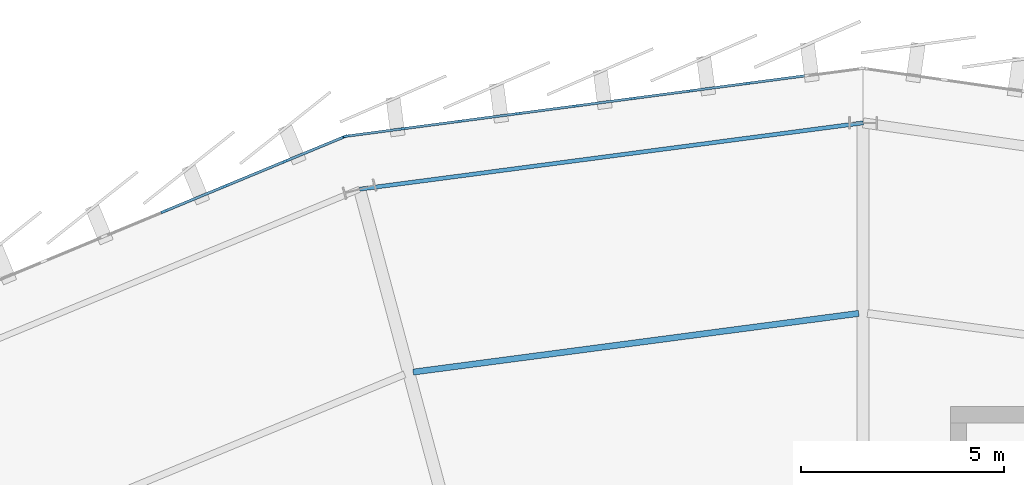
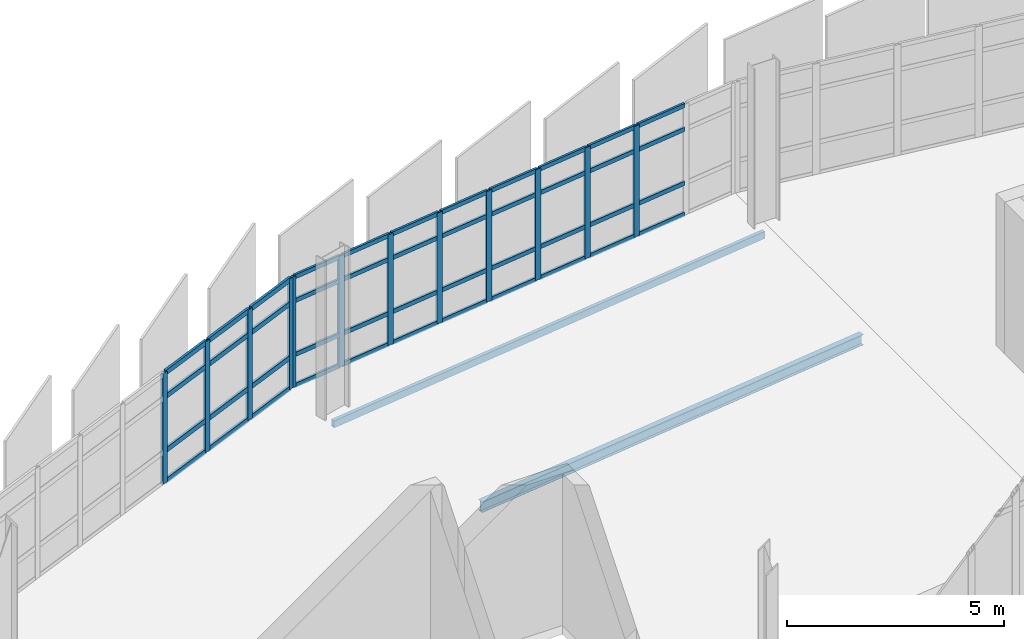
# One storey, part 36 of 67: 56 members, 2 beams, 2 elements without a shape of their own.
"""IFC4 building model written with IfcOpenShell, lengths in metres."""

from ifc_helpers import new_model, si_unit, direction, frame, origin, origin_2d, place, context, subcontext, project, spatial, rectangle, hollow_rectangle, i_section, extrude, material, layer, layer_set, material_profile, profile_set, type_object, element, aggregate, save


model = new_model("IFC4")

# Units and contexts
model_context = context("Model", 3, precision=1e-05, world=origin(), true_north=direction((0.0, 1.0)))
body_context = subcontext(model_context, "Body", "Model", "MODEL_VIEW")
ifc_project = project(units=[si_unit("LENGTHUNIT", "METRE"), si_unit("AREAUNIT", "SQUARE_METRE"), si_unit("VOLUMEUNIT", "CUBIC_METRE"), si_unit("PLANEANGLEUNIT", "RADIAN"), si_unit("MASSUNIT", "GRAM", prefix="KILO")], contexts=[model_context])

# Site, building, storey
site_placement = place(None, origin())
site = spatial("IfcSite", under=ifc_project, at=site_placement, CompositionType="ELEMENT")
building_placement = place(site_placement, origin())
building = spatial("IfcBuilding", under=site, at=building_placement, Name="Sohan Crest Arena", CompositionType="ELEMENT")
storey_placement = place(building_placement, frame((0.0, 0.0, 22.5)))
storey = spatial("IfcBuildingStorey", under=building, at=storey_placement, Name="L05", CompositionType="ELEMENT", Elevation=22.5)

# Curtain wall, members
ifc_material_1 = material(Name="Thermally broken anodised aluminium", Category="aluminium")
ifc_layer_1 = layer(ifc_material_1, 0.179931640625, Name="Thermally broken anodised aluminium")
ifc_layer_set_1 = layer_set([ifc_layer_1], Name="Thermally broken anodised aluminium")
curtain_wall_type_1 = type_object("IfcCurtainWallType", Name="ARC-CW01", PredefinedType="NOTDEFINED", material=ifc_layer_set_1)
curtain_wall_1_placement = place(storey_placement, origin())
curtain_wall_1 = element("IfcCurtainWall", 1, at=curtain_wall_1_placement, inside=storey, type_object=curtain_wall_type_1, Name="Unitised curtain wall CW-146", PredefinedType="NOTDEFINED")
ifc_material_profile_1 = material_profile(ifc_material_1, rectangle(XDim=0.06005859375, YDim=0.159912109375, at=origin_2d()), Name="ALU-MULL 60x160")
ifc_profile_set_1 = profile_set([ifc_material_profile_1], Name="Thermally broken anodised aluminium")
member_type_1 = type_object("IfcMemberType", Name="ARC-CW-ML01", PredefinedType="MULLION", material=ifc_profile_set_1)
member_1_placement = place(storey_placement, frame((95.16162109375, 126.976318359375, 0.0), z_axis=(0.0, 0.0, 1.0), x_axis=(0.130556913275, -0.991440816386, 0.0)))
member_1 = element("IfcMember", 2, at=member_1_placement, type_object=member_type_1, Name="CW-146 mullion 3", PredefinedType="MULLION", context=body_context, shape_type="SweptSolid", body=[
    extrude(rectangle(XDim=0.06005859375, YDim=0.159912109375, at=origin_2d()), origin(), (0.0, 0.0, 1.0), 3.1201171875),
])
member_2_placement = place(storey_placement, frame((93.742431640625, 126.789306640625, 0.0), z_axis=(0.0, 0.0, 1.0), x_axis=(0.130556913275, -0.991440816386, 0.0)))
member_2 = element("IfcMember", 3, at=member_2_placement, type_object=member_type_1, Name="CW-146 mullion 4", PredefinedType="MULLION", context=body_context, shape_type="SweptSolid", body=[
    extrude(rectangle(XDim=0.06005859375, YDim=0.159912109375, at=origin_2d()), origin(), (0.0, 0.0, 1.0), 3.1201171875),
])
member_3_placement = place(storey_placement, frame((92.322998046875, 126.6025390625, 0.0), z_axis=(0.0, 0.0, 1.0), x_axis=(0.130556913275, -0.991440816386, 0.0)))
member_3 = element("IfcMember", 4, at=member_3_placement, type_object=member_type_1, Name="CW-146 mullion 5", PredefinedType="MULLION", context=body_context, shape_type="SweptSolid", body=[
    extrude(rectangle(XDim=0.06005859375, YDim=0.159912109375, at=origin_2d()), origin(), (0.0, 0.0, 1.0), 3.1201171875),
])
member_4_placement = place(storey_placement, frame((90.90380859375, 126.41552734375, 0.0), z_axis=(0.0, 0.0, 1.0), x_axis=(0.130556913275, -0.991440816386, 0.0)))
member_4 = element("IfcMember", 5, at=member_4_placement, type_object=member_type_1, Name="CW-146 mullion 6", PredefinedType="MULLION", context=body_context, shape_type="SweptSolid", body=[
    extrude(rectangle(XDim=0.06005859375, YDim=0.159912109375, at=origin_2d()), origin(), (0.0, 0.0, 1.0), 3.1201171875),
])
member_5_placement = place(storey_placement, frame((89.484619140625, 126.228759765625, 0.0), z_axis=(0.0, 0.0, 1.0), x_axis=(0.130556913275, -0.991440816386, 0.0)))
member_5 = element("IfcMember", 6, at=member_5_placement, type_object=member_type_1, Name="CW-146 mullion 7", PredefinedType="MULLION", context=body_context, shape_type="SweptSolid", body=[
    extrude(rectangle(XDim=0.06005859375, YDim=0.159912109375, at=origin_2d()), origin(), (0.0, 0.0, 1.0), 3.1201171875),
])
member_6_placement = place(storey_placement, frame((88.0654296875, 126.041748046875, 0.0), z_axis=(0.0, 0.0, 1.0), x_axis=(0.130556913275, -0.991440816386, 0.0)))
member_6 = element("IfcMember", 7, at=member_6_placement, type_object=member_type_1, Name="CW-146 mullion 8", PredefinedType="MULLION", context=body_context, shape_type="SweptSolid", body=[
    extrude(rectangle(XDim=0.06005859375, YDim=0.159912109375, at=origin_2d()), origin(), (0.0, 0.0, 1.0), 3.1201171875),
])
member_7_placement = place(storey_placement, frame((86.646240234375, 125.85498046875, 0.0), z_axis=(0.0, 0.0, 1.0), x_axis=(0.130556913275, -0.991440816386, 0.0)))
member_7 = element("IfcMember", 8, at=member_7_placement, type_object=member_type_1, Name="CW-146 mullion 9", PredefinedType="MULLION", context=body_context, shape_type="SweptSolid", body=[
    extrude(rectangle(XDim=0.06005859375, YDim=0.159912109375, at=origin_2d()), origin(), (0.0, 0.0, 1.0), 3.1201171875),
])
member_8_placement = place(storey_placement, frame((85.2568359375, 125.671875, 0.0), z_axis=(0.0, 0.0, 1.0), x_axis=(0.130556913275, -0.991440816386, 0.0)))
member_8 = element("IfcMember", 9, at=member_8_placement, type_object=member_type_1, Name="CW-146 mullion 10", PredefinedType="MULLION", context=body_context, shape_type="SweptSolid", body=[
    extrude(rectangle(XDim=0.06005859375, YDim=0.159912109375, at=origin_2d()), origin(), (0.0, 0.0, 1.0), 3.1201171875),
])

ifc_layer_2 = layer(ifc_material_1, 0.199951171875, Name="Thermally broken anodised aluminium")
ifc_layer_set_2 = layer_set([ifc_layer_2], Name="Thermally broken anodised aluminium")
curtain_wall_type_2 = type_object("IfcCurtainWallType", Name="ARC-CW02", PredefinedType="NOTDEFINED", material=ifc_layer_set_2)
curtain_wall_2_placement = place(storey_placement, origin())
curtain_wall_2 = element("IfcCurtainWall", 10, at=curtain_wall_2_placement, inside=storey, type_object=curtain_wall_type_2, Name="Unitised curtain wall CW-147", PredefinedType="NOTDEFINED")
ifc_material_profile_2 = material_profile(ifc_material_1, rectangle(XDim=0.06494140625, YDim=0.179931640625, at=origin_2d()), Name="ALU-MULL 65x180")
ifc_profile_set_2 = profile_set([ifc_material_profile_2], Name="Thermally broken anodised aluminium")
member_type_2 = type_object("IfcMemberType", Name="ARC-CW-ML02", PredefinedType="MULLION", material=ifc_profile_set_2)
member_9_placement = place(storey_placement, frame((85.197021484375, 125.655517578125, 0.0), z_axis=(0.0, 0.0, 1.0), x_axis=(0.382685432009, -0.923878704229, 0.0)))
member_9 = element("IfcMember", 11, at=member_9_placement, type_object=member_type_2, Name="CW-147 mullion 1", PredefinedType="MULLION", context=body_context, shape_type="SweptSolid", body=[
    extrude(rectangle(XDim=0.06494140625, YDim=0.179931640625, at=origin_2d()), origin(), (0.0, 0.0, 1.0), 3.1201171875),
])
member_10_placement = place(storey_placement, frame((83.7392578125, 125.0517578125, 0.0), z_axis=(0.0, 0.0, 1.0), x_axis=(0.382685432009, -0.923878704229, 0.0)))
member_10 = element("IfcMember", 12, at=member_10_placement, type_object=member_type_2, Name="CW-147 mullion 2", PredefinedType="MULLION", context=body_context, shape_type="SweptSolid", body=[
    extrude(rectangle(XDim=0.06494140625, YDim=0.179931640625, at=origin_2d()), origin(), (0.0, 0.0, 1.0), 3.1201171875),
])
member_11_placement = place(storey_placement, frame((82.25146484375, 124.435546875, 0.0), z_axis=(0.0, 0.0, 1.0), x_axis=(0.382685432009, -0.923878704229, 0.0)))
member_11 = element("IfcMember", 13, at=member_11_placement, type_object=member_type_2, Name="CW-147 mullion 3", PredefinedType="MULLION", context=body_context, shape_type="SweptSolid", body=[
    extrude(rectangle(XDim=0.06494140625, YDim=0.179931640625, at=origin_2d()), origin(), (0.0, 0.0, 1.0), 3.1201171875),
])
member_12_placement = place(storey_placement, frame((80.763671875, 123.8193359375, 0.0), z_axis=(0.0, 0.0, 1.0), x_axis=(0.382685432009, -0.923878704229, 0.0)))
member_12 = element("IfcMember", 14, at=member_12_placement, type_object=member_type_2, Name="CW-147 mullion 4", PredefinedType="MULLION", context=body_context, shape_type="SweptSolid", body=[
    extrude(rectangle(XDim=0.06494140625, YDim=0.179931640625, at=origin_2d()), origin(), (0.0, 0.0, 1.0), 3.1201171875),
])

# Member
ifc_material_profile_3 = material_profile(ifc_material_1, rectangle(XDim=0.06005859375, YDim=0.1201171875, at=origin_2d()), Name="ALU-TRAN 60x120")
ifc_profile_set_3 = profile_set([ifc_material_profile_3], Name="Thermally broken anodised aluminium")
member_type_3 = type_object("IfcMemberType", Name="ARC-CW-TR01", PredefinedType="USERDEFINED", material=ifc_profile_set_3)
member_13_placement = place(storey_placement, frame((96.551025390625, 127.1591796875, 0.030029296875), z_axis=(-0.99144884107, -0.130495959868, 0.0), x_axis=(0.130495959868, -0.99144884107, 0.0)))
member_13 = element("IfcMember", 15, at=member_13_placement, type_object=member_type_3, Name="CW-146 transom 2.1", ObjectType="TRANSOM", PredefinedType="USERDEFINED", context=body_context, shape_type="SweptSolid", body=[
    extrude(rectangle(XDim=0.06005859375, YDim=0.1201171875, at=origin_2d()), origin(), (0.0, 0.0, 1.0), 1.371337890625),
])

member_14_placement = place(storey_placement, frame((96.551025390625, 127.1591796875, 0.89990234375), z_axis=(-0.99144884107, -0.130495959868, 0.0), x_axis=(0.130495959868, -0.99144884107, 0.0)))
member_14 = element("IfcMember", 16, at=member_14_placement, type_object=member_type_3, Name="CW-146 transom 2.2", ObjectType="TRANSOM", PredefinedType="USERDEFINED", context=body_context, shape_type="SweptSolid", body=[
    extrude(rectangle(XDim=0.06005859375, YDim=0.1201171875, at=origin_2d()), origin(), (0.0, 0.0, 1.0), 1.371337890625),
])

member_15_placement = place(storey_placement, frame((96.551025390625, 127.1591796875, 2.419921875), z_axis=(-0.99144884107, -0.130495959868, 0.0), x_axis=(0.130495959868, -0.99144884107, 0.0)))
member_15 = element("IfcMember", 17, at=member_15_placement, type_object=member_type_3, Name="CW-146 transom 2.3", ObjectType="TRANSOM", PredefinedType="USERDEFINED", context=body_context, shape_type="SweptSolid", body=[
    extrude(rectangle(XDim=0.06005859375, YDim=0.1201171875, at=origin_2d()), origin(), (0.0, 0.0, 1.0), 1.371337890625),
])

member_16_placement = place(storey_placement, frame((96.551025390625, 127.1591796875, 3.090087890625), z_axis=(-0.99144884107, -0.130495959868, 0.0), x_axis=(0.130495959868, -0.99144884107, 0.0)))
member_16 = element("IfcMember", 18, at=member_16_placement, type_object=member_type_3, Name="CW-146 transom 2.4", ObjectType="TRANSOM", PredefinedType="USERDEFINED", context=body_context, shape_type="SweptSolid", body=[
    extrude(rectangle(XDim=0.06005859375, YDim=0.1201171875, at=origin_2d()), origin(), (0.0, 0.0, 1.0), 1.371337890625),
])

member_17_placement = place(storey_placement, frame((95.1318359375, 126.972412109375, 0.030029296875), z_axis=(-0.991428831601, -0.13064789271, 0.0), x_axis=(0.13064789271, -0.991428831601, 0.0)))
member_17 = element("IfcMember", 19, at=member_17_placement, type_object=member_type_3, Name="CW-146 transom 3.1", ObjectType="TRANSOM", PredefinedType="USERDEFINED", context=body_context, shape_type="SweptSolid", body=[
    extrude(rectangle(XDim=0.06005859375, YDim=0.1201171875, at=origin_2d()), origin(), (0.0, 0.0, 1.0), 1.37158203125),
])

member_18_placement = place(storey_placement, frame((95.1318359375, 126.972412109375, 0.89990234375), z_axis=(-0.991428831601, -0.13064789271, 0.0), x_axis=(0.13064789271, -0.991428831601, 0.0)))
member_18 = element("IfcMember", 20, at=member_18_placement, type_object=member_type_3, Name="CW-146 transom 3.2", ObjectType="TRANSOM", PredefinedType="USERDEFINED", context=body_context, shape_type="SweptSolid", body=[
    extrude(rectangle(XDim=0.06005859375, YDim=0.1201171875, at=origin_2d()), origin(), (0.0, 0.0, 1.0), 1.37158203125),
])

member_19_placement = place(storey_placement, frame((95.1318359375, 126.972412109375, 2.419921875), z_axis=(-0.991428831601, -0.13064789271, 0.0), x_axis=(0.13064789271, -0.991428831601, 0.0)))
member_19 = element("IfcMember", 21, at=member_19_placement, type_object=member_type_3, Name="CW-146 transom 3.3", ObjectType="TRANSOM", PredefinedType="USERDEFINED", context=body_context, shape_type="SweptSolid", body=[
    extrude(rectangle(XDim=0.06005859375, YDim=0.1201171875, at=origin_2d()), origin(), (0.0, 0.0, 1.0), 1.37158203125),
])

member_20_placement = place(storey_placement, frame((95.1318359375, 126.972412109375, 3.090087890625), z_axis=(-0.991428831601, -0.13064789271, 0.0), x_axis=(0.13064789271, -0.991428831601, 0.0)))
member_20 = element("IfcMember", 22, at=member_20_placement, type_object=member_type_3, Name="CW-146 transom 3.4", ObjectType="TRANSOM", PredefinedType="USERDEFINED", context=body_context, shape_type="SweptSolid", body=[
    extrude(rectangle(XDim=0.06005859375, YDim=0.1201171875, at=origin_2d()), origin(), (0.0, 0.0, 1.0), 1.37158203125),
])

member_21_placement = place(storey_placement, frame((93.712646484375, 126.785400390625, 0.030029296875), z_axis=(-0.991451871974, -0.130472930369, 0.0), x_axis=(0.130472930369, -0.991451871974, 0.0)))
member_21 = element("IfcMember", 23, at=member_21_placement, type_object=member_type_3, Name="CW-146 transom 4.1", ObjectType="TRANSOM", PredefinedType="USERDEFINED", context=body_context, shape_type="SweptSolid", body=[
    extrude(rectangle(XDim=0.06005859375, YDim=0.1201171875, at=origin_2d()), origin(), (0.0, 0.0, 1.0), 1.37158203125),
])

member_22_placement = place(storey_placement, frame((93.712646484375, 126.785400390625, 0.89990234375), z_axis=(-0.991451871974, -0.130472930369, 0.0), x_axis=(0.130472930369, -0.991451871974, 0.0)))
member_22 = element("IfcMember", 24, at=member_22_placement, type_object=member_type_3, Name="CW-146 transom 4.2", ObjectType="TRANSOM", PredefinedType="USERDEFINED", context=body_context, shape_type="SweptSolid", body=[
    extrude(rectangle(XDim=0.06005859375, YDim=0.1201171875, at=origin_2d()), origin(), (0.0, 0.0, 1.0), 1.37158203125),
])

member_23_placement = place(storey_placement, frame((93.712646484375, 126.785400390625, 2.419921875), z_axis=(-0.991451871974, -0.130472930369, 0.0), x_axis=(0.130472930369, -0.991451871974, 0.0)))
member_23 = element("IfcMember", 25, at=member_23_placement, type_object=member_type_3, Name="CW-146 transom 4.3", ObjectType="TRANSOM", PredefinedType="USERDEFINED", context=body_context, shape_type="SweptSolid", body=[
    extrude(rectangle(XDim=0.06005859375, YDim=0.1201171875, at=origin_2d()), origin(), (0.0, 0.0, 1.0), 1.37158203125),
])

member_24_placement = place(storey_placement, frame((93.712646484375, 126.785400390625, 3.090087890625), z_axis=(-0.991451871974, -0.130472930369, 0.0), x_axis=(0.130472930369, -0.991451871974, 0.0)))
member_24 = element("IfcMember", 26, at=member_24_placement, type_object=member_type_3, Name="CW-146 transom 4.4", ObjectType="TRANSOM", PredefinedType="USERDEFINED", context=body_context, shape_type="SweptSolid", body=[
    extrude(rectangle(XDim=0.06005859375, YDim=0.1201171875, at=origin_2d()), origin(), (0.0, 0.0, 1.0), 1.37158203125),
])

member_25_placement = place(storey_placement, frame((92.29345703125, 126.5986328125, 0.030029296875), z_axis=(-0.991428831601, -0.13064789271, 0.0), x_axis=(0.13064789271, -0.991428831601, 0.0)))
member_25 = element("IfcMember", 27, at=member_25_placement, type_object=member_type_3, Name="CW-146 transom 5.1", ObjectType="TRANSOM", PredefinedType="USERDEFINED", context=body_context, shape_type="SweptSolid", body=[
    extrude(rectangle(XDim=0.06005859375, YDim=0.1201171875, at=origin_2d()), origin(), (0.0, 0.0, 1.0), 1.37158203125),
])

member_26_placement = place(storey_placement, frame((92.29345703125, 126.5986328125, 0.89990234375), z_axis=(-0.991428831601, -0.13064789271, 0.0), x_axis=(0.13064789271, -0.991428831601, 0.0)))
member_26 = element("IfcMember", 28, at=member_26_placement, type_object=member_type_3, Name="CW-146 transom 5.2", ObjectType="TRANSOM", PredefinedType="USERDEFINED", context=body_context, shape_type="SweptSolid", body=[
    extrude(rectangle(XDim=0.06005859375, YDim=0.1201171875, at=origin_2d()), origin(), (0.0, 0.0, 1.0), 1.37158203125),
])

member_27_placement = place(storey_placement, frame((92.29345703125, 126.5986328125, 2.419921875), z_axis=(-0.991428831601, -0.13064789271, 0.0), x_axis=(0.13064789271, -0.991428831601, 0.0)))
member_27 = element("IfcMember", 29, at=member_27_placement, type_object=member_type_3, Name="CW-146 transom 5.3", ObjectType="TRANSOM", PredefinedType="USERDEFINED", context=body_context, shape_type="SweptSolid", body=[
    extrude(rectangle(XDim=0.06005859375, YDim=0.1201171875, at=origin_2d()), origin(), (0.0, 0.0, 1.0), 1.37158203125),
])

member_28_placement = place(storey_placement, frame((92.29345703125, 126.5986328125, 3.090087890625), z_axis=(-0.991428831601, -0.13064789271, 0.0), x_axis=(0.13064789271, -0.991428831601, 0.0)))
member_28 = element("IfcMember", 30, at=member_28_placement, type_object=member_type_3, Name="CW-146 transom 5.4", ObjectType="TRANSOM", PredefinedType="USERDEFINED", context=body_context, shape_type="SweptSolid", body=[
    extrude(rectangle(XDim=0.06005859375, YDim=0.1201171875, at=origin_2d()), origin(), (0.0, 0.0, 1.0), 1.37158203125),
])

member_29_placement = place(storey_placement, frame((90.874267578125, 126.41162109375, 0.030029296875), z_axis=(-0.991451871974, -0.130472930369, 0.0), x_axis=(0.130472930369, -0.991451871974, 0.0)))
member_29 = element("IfcMember", 31, at=member_29_placement, type_object=member_type_3, Name="CW-146 transom 6.1", ObjectType="TRANSOM", PredefinedType="USERDEFINED", context=body_context, shape_type="SweptSolid", body=[
    extrude(rectangle(XDim=0.06005859375, YDim=0.1201171875, at=origin_2d()), origin(), (0.0, 0.0, 1.0), 1.37158203125),
])

member_30_placement = place(storey_placement, frame((90.874267578125, 126.41162109375, 0.89990234375), z_axis=(-0.991451871974, -0.130472930369, 0.0), x_axis=(0.130472930369, -0.991451871974, 0.0)))
member_30 = element("IfcMember", 32, at=member_30_placement, type_object=member_type_3, Name="CW-146 transom 6.2", ObjectType="TRANSOM", PredefinedType="USERDEFINED", context=body_context, shape_type="SweptSolid", body=[
    extrude(rectangle(XDim=0.06005859375, YDim=0.1201171875, at=origin_2d()), origin(), (0.0, 0.0, 1.0), 1.37158203125),
])

member_31_placement = place(storey_placement, frame((90.874267578125, 126.41162109375, 2.419921875), z_axis=(-0.991451871974, -0.130472930369, 0.0), x_axis=(0.130472930369, -0.991451871974, 0.0)))
member_31 = element("IfcMember", 33, at=member_31_placement, type_object=member_type_3, Name="CW-146 transom 6.3", ObjectType="TRANSOM", PredefinedType="USERDEFINED", context=body_context, shape_type="SweptSolid", body=[
    extrude(rectangle(XDim=0.06005859375, YDim=0.1201171875, at=origin_2d()), origin(), (0.0, 0.0, 1.0), 1.37158203125),
])

member_32_placement = place(storey_placement, frame((90.874267578125, 126.41162109375, 3.090087890625), z_axis=(-0.991451871974, -0.130472930369, 0.0), x_axis=(0.130472930369, -0.991451871974, 0.0)))
member_32 = element("IfcMember", 34, at=member_32_placement, type_object=member_type_3, Name="CW-146 transom 6.4", ObjectType="TRANSOM", PredefinedType="USERDEFINED", context=body_context, shape_type="SweptSolid", body=[
    extrude(rectangle(XDim=0.06005859375, YDim=0.1201171875, at=origin_2d()), origin(), (0.0, 0.0, 1.0), 1.37158203125),
])

member_33_placement = place(storey_placement, frame((89.454833984375, 126.224853515625, 0.030029296875), z_axis=(-0.991425792633, -0.130670952019, 0.0), x_axis=(0.130670952019, -0.991425792633, 0.0)))
member_33 = element("IfcMember", 35, at=member_33_placement, type_object=member_type_3, Name="CW-146 transom 7.1", ObjectType="TRANSOM", PredefinedType="USERDEFINED", context=body_context, shape_type="SweptSolid", body=[
    extrude(rectangle(XDim=0.06005859375, YDim=0.1201171875, at=origin_2d()), origin(), (0.0, 0.0, 1.0), 1.371337890625),
])

member_34_placement = place(storey_placement, frame((89.454833984375, 126.224853515625, 0.89990234375), z_axis=(-0.991425792633, -0.130670952019, 0.0), x_axis=(0.130670952019, -0.991425792633, 0.0)))
member_34 = element("IfcMember", 36, at=member_34_placement, type_object=member_type_3, Name="CW-146 transom 7.2", ObjectType="TRANSOM", PredefinedType="USERDEFINED", context=body_context, shape_type="SweptSolid", body=[
    extrude(rectangle(XDim=0.06005859375, YDim=0.1201171875, at=origin_2d()), origin(), (0.0, 0.0, 1.0), 1.371337890625),
])

member_35_placement = place(storey_placement, frame((89.454833984375, 126.224853515625, 2.419921875), z_axis=(-0.991425792633, -0.130670952019, 0.0), x_axis=(0.130670952019, -0.991425792633, 0.0)))
member_35 = element("IfcMember", 37, at=member_35_placement, type_object=member_type_3, Name="CW-146 transom 7.3", ObjectType="TRANSOM", PredefinedType="USERDEFINED", context=body_context, shape_type="SweptSolid", body=[
    extrude(rectangle(XDim=0.06005859375, YDim=0.1201171875, at=origin_2d()), origin(), (0.0, 0.0, 1.0), 1.371337890625),
])

member_36_placement = place(storey_placement, frame((89.454833984375, 126.224853515625, 3.090087890625), z_axis=(-0.991425792633, -0.130670952019, 0.0), x_axis=(0.130670952019, -0.991425792633, 0.0)))
member_36 = element("IfcMember", 38, at=member_36_placement, type_object=member_type_3, Name="CW-146 transom 7.4", ObjectType="TRANSOM", PredefinedType="USERDEFINED", context=body_context, shape_type="SweptSolid", body=[
    extrude(rectangle(XDim=0.06005859375, YDim=0.1201171875, at=origin_2d()), origin(), (0.0, 0.0, 1.0), 1.371337890625),
])

member_37_placement = place(storey_placement, frame((88.03564453125, 126.037841796875, 0.030029296875), z_axis=(-0.99144884107, -0.130495959868, 0.0), x_axis=(0.130495959868, -0.99144884107, 0.0)))
member_37 = element("IfcMember", 39, at=member_37_placement, type_object=member_type_3, Name="CW-146 transom 8.1", ObjectType="TRANSOM", PredefinedType="USERDEFINED", context=body_context, shape_type="SweptSolid", body=[
    extrude(rectangle(XDim=0.06005859375, YDim=0.1201171875, at=origin_2d()), origin(), (0.0, 0.0, 1.0), 1.371337890625),
])

member_38_placement = place(storey_placement, frame((88.03564453125, 126.037841796875, 0.89990234375), z_axis=(-0.99144884107, -0.130495959868, 0.0), x_axis=(0.130495959868, -0.99144884107, 0.0)))
member_38 = element("IfcMember", 40, at=member_38_placement, type_object=member_type_3, Name="CW-146 transom 8.2", ObjectType="TRANSOM", PredefinedType="USERDEFINED", context=body_context, shape_type="SweptSolid", body=[
    extrude(rectangle(XDim=0.06005859375, YDim=0.1201171875, at=origin_2d()), origin(), (0.0, 0.0, 1.0), 1.371337890625),
])

member_39_placement = place(storey_placement, frame((88.03564453125, 126.037841796875, 2.419921875), z_axis=(-0.99144884107, -0.130495959868, 0.0), x_axis=(0.130495959868, -0.99144884107, 0.0)))
member_39 = element("IfcMember", 41, at=member_39_placement, type_object=member_type_3, Name="CW-146 transom 8.3", ObjectType="TRANSOM", PredefinedType="USERDEFINED", context=body_context, shape_type="SweptSolid", body=[
    extrude(rectangle(XDim=0.06005859375, YDim=0.1201171875, at=origin_2d()), origin(), (0.0, 0.0, 1.0), 1.371337890625),
])

member_40_placement = place(storey_placement, frame((88.03564453125, 126.037841796875, 3.090087890625), z_axis=(-0.99144884107, -0.130495959868, 0.0), x_axis=(0.130495959868, -0.99144884107, 0.0)))
member_40 = element("IfcMember", 42, at=member_40_placement, type_object=member_type_3, Name="CW-146 transom 8.4", ObjectType="TRANSOM", PredefinedType="USERDEFINED", context=body_context, shape_type="SweptSolid", body=[
    extrude(rectangle(XDim=0.06005859375, YDim=0.1201171875, at=origin_2d()), origin(), (0.0, 0.0, 1.0), 1.371337890625),
])

member_41_placement = place(storey_placement, frame((86.616455078125, 125.85107421875, 0.030029296875), z_axis=(-0.991427020265, -0.130661637399, 0.0), x_axis=(0.130661637399, -0.991427020265, 0.0)))
member_41 = element("IfcMember", 43, at=member_41_placement, type_object=member_type_3, Name="CW-146 transom 9.1", ObjectType="TRANSOM", PredefinedType="USERDEFINED", context=body_context, shape_type="SweptSolid", body=[
    extrude(rectangle(XDim=0.06005859375, YDim=0.1201171875, at=origin_2d()), origin(), (0.0, 0.0, 1.0), 1.341552734375),
])

member_42_placement = place(storey_placement, frame((86.616455078125, 125.85107421875, 0.89990234375), z_axis=(-0.991427020265, -0.130661637399, 0.0), x_axis=(0.130661637399, -0.991427020265, 0.0)))
member_42 = element("IfcMember", 44, at=member_42_placement, type_object=member_type_3, Name="CW-146 transom 9.2", ObjectType="TRANSOM", PredefinedType="USERDEFINED", context=body_context, shape_type="SweptSolid", body=[
    extrude(rectangle(XDim=0.06005859375, YDim=0.1201171875, at=origin_2d()), origin(), (0.0, 0.0, 1.0), 1.341552734375),
])

member_43_placement = place(storey_placement, frame((86.616455078125, 125.85107421875, 2.419921875), z_axis=(-0.991427020265, -0.130661637399, 0.0), x_axis=(0.130661637399, -0.991427020265, 0.0)))
member_43 = element("IfcMember", 45, at=member_43_placement, type_object=member_type_3, Name="CW-146 transom 9.3", ObjectType="TRANSOM", PredefinedType="USERDEFINED", context=body_context, shape_type="SweptSolid", body=[
    extrude(rectangle(XDim=0.06005859375, YDim=0.1201171875, at=origin_2d()), origin(), (0.0, 0.0, 1.0), 1.341552734375),
])

member_44_placement = place(storey_placement, frame((86.616455078125, 125.85107421875, 3.090087890625), z_axis=(-0.991427020265, -0.130661637399, 0.0), x_axis=(0.130661637399, -0.991427020265, 0.0)))
member_44 = element("IfcMember", 46, at=member_44_placement, type_object=member_type_3, Name="CW-146 transom 9.4", ObjectType="TRANSOM", PredefinedType="USERDEFINED", context=body_context, shape_type="SweptSolid", body=[
    extrude(rectangle(XDim=0.06005859375, YDim=0.1201171875, at=origin_2d()), origin(), (0.0, 0.0, 1.0), 1.341552734375),
])

aggregate(curtain_wall_1, [member_1, member_2, member_3, member_4, member_5, member_6, member_7, member_8, member_13, member_14, member_15, member_16, member_17, member_18, member_19, member_20, member_21, member_22, member_23, member_24, member_25, member_26, member_27, member_28, member_29, member_30, member_31, member_32, member_33, member_34, member_35, member_36, member_37, member_38, member_39, member_40, member_41, member_42, member_43, member_44])

ifc_material_profile_4 = material_profile(ifc_material_1, rectangle(XDim=0.06494140625, YDim=0.139892578125, at=origin_2d()), Name="ALU-TRAN 65x140")
ifc_profile_set_4 = profile_set([ifc_material_profile_4], Name="Thermally broken anodised aluminium")
member_type_4 = type_object("IfcMemberType", Name="ARC-CW-TR02", PredefinedType="USERDEFINED", material=ifc_profile_set_4)
member_45_placement = place(storey_placement, frame((85.1669921875, 125.64306640625, 0.032470703125), z_axis=(-0.923900792868, -0.382632101291, 0.0), x_axis=(0.382632101291, -0.923900792868, 0.0)))
member_45 = element("IfcMember", 47, at=member_45_placement, type_object=member_type_4, Name="CW-147 transom 1.1", ObjectType="TRANSOM", PredefinedType="USERDEFINED", context=body_context, shape_type="SweptSolid", body=[
    extrude(rectangle(XDim=0.06494140625, YDim=0.139892578125, at=origin_2d()), origin(), (0.0, 0.0, 1.0), 1.512939453125),
])

member_46_placement = place(storey_placement, frame((85.1669921875, 125.64306640625, 0.89990234375), z_axis=(-0.923900792868, -0.382632101291, 0.0), x_axis=(0.382632101291, -0.923900792868, 0.0)))
member_46 = element("IfcMember", 48, at=member_46_placement, type_object=member_type_4, Name="CW-147 transom 1.2", ObjectType="TRANSOM", PredefinedType="USERDEFINED", context=body_context, shape_type="SweptSolid", body=[
    extrude(rectangle(XDim=0.06494140625, YDim=0.139892578125, at=origin_2d()), origin(), (0.0, 0.0, 1.0), 1.512939453125),
])

member_47_placement = place(storey_placement, frame((85.1669921875, 125.64306640625, 2.419921875), z_axis=(-0.923900792868, -0.382632101291, 0.0), x_axis=(0.382632101291, -0.923900792868, 0.0)))
member_47 = element("IfcMember", 49, at=member_47_placement, type_object=member_type_4, Name="CW-147 transom 1.3", ObjectType="TRANSOM", PredefinedType="USERDEFINED", context=body_context, shape_type="SweptSolid", body=[
    extrude(rectangle(XDim=0.06494140625, YDim=0.139892578125, at=origin_2d()), origin(), (0.0, 0.0, 1.0), 1.512939453125),
])

member_48_placement = place(storey_placement, frame((85.1669921875, 125.64306640625, 3.08740234375), z_axis=(-0.923900792868, -0.382632101291, 0.0), x_axis=(0.382632101291, -0.923900792868, 0.0)))
member_48 = element("IfcMember", 50, at=member_48_placement, type_object=member_type_4, Name="CW-147 transom 1.4", ObjectType="TRANSOM", PredefinedType="USERDEFINED", context=body_context, shape_type="SweptSolid", body=[
    extrude(rectangle(XDim=0.06494140625, YDim=0.139892578125, at=origin_2d()), origin(), (0.0, 0.0, 1.0), 1.512939453125),
])

member_49_placement = place(storey_placement, frame((83.709228515625, 125.039306640625, 0.032470703125), z_axis=(-0.923897456466, -0.382640157244, 0.0), x_axis=(0.382640157244, -0.923897456466, 0.0)))
member_49 = element("IfcMember", 51, at=member_49_placement, type_object=member_type_4, Name="CW-147 transom 2.1", ObjectType="TRANSOM", PredefinedType="USERDEFINED", context=body_context, shape_type="SweptSolid", body=[
    extrude(rectangle(XDim=0.06494140625, YDim=0.139892578125, at=origin_2d()), origin(), (0.0, 0.0, 1.0), 1.54541015625),
])

member_50_placement = place(storey_placement, frame((83.709228515625, 125.039306640625, 0.89990234375), z_axis=(-0.923897456466, -0.382640157244, 0.0), x_axis=(0.382640157244, -0.923897456466, 0.0)))
member_50 = element("IfcMember", 52, at=member_50_placement, type_object=member_type_4, Name="CW-147 transom 2.2", ObjectType="TRANSOM", PredefinedType="USERDEFINED", context=body_context, shape_type="SweptSolid", body=[
    extrude(rectangle(XDim=0.06494140625, YDim=0.139892578125, at=origin_2d()), origin(), (0.0, 0.0, 1.0), 1.54541015625),
])

member_51_placement = place(storey_placement, frame((83.709228515625, 125.039306640625, 2.419921875), z_axis=(-0.923897456466, -0.382640157244, 0.0), x_axis=(0.382640157244, -0.923897456466, 0.0)))
member_51 = element("IfcMember", 53, at=member_51_placement, type_object=member_type_4, Name="CW-147 transom 2.3", ObjectType="TRANSOM", PredefinedType="USERDEFINED", context=body_context, shape_type="SweptSolid", body=[
    extrude(rectangle(XDim=0.06494140625, YDim=0.139892578125, at=origin_2d()), origin(), (0.0, 0.0, 1.0), 1.54541015625),
])

member_52_placement = place(storey_placement, frame((83.709228515625, 125.039306640625, 3.08740234375), z_axis=(-0.923897456466, -0.382640157244, 0.0), x_axis=(0.382640157244, -0.923897456466, 0.0)))
member_52 = element("IfcMember", 54, at=member_52_placement, type_object=member_type_4, Name="CW-147 transom 2.4", ObjectType="TRANSOM", PredefinedType="USERDEFINED", context=body_context, shape_type="SweptSolid", body=[
    extrude(rectangle(XDim=0.06494140625, YDim=0.139892578125, at=origin_2d()), origin(), (0.0, 0.0, 1.0), 1.54541015625),
])

member_53_placement = place(storey_placement, frame((82.221435546875, 124.423095703125, 0.032470703125), z_axis=(-0.923897456466, -0.382640157244, 0.0), x_axis=(0.382640157244, -0.923897456466, 0.0)))
member_53 = element("IfcMember", 55, at=member_53_placement, type_object=member_type_4, Name="CW-147 transom 3.1", ObjectType="TRANSOM", PredefinedType="USERDEFINED", context=body_context, shape_type="SweptSolid", body=[
    extrude(rectangle(XDim=0.06494140625, YDim=0.139892578125, at=origin_2d()), origin(), (0.0, 0.0, 1.0), 1.54541015625),
])

member_54_placement = place(storey_placement, frame((82.221435546875, 124.423095703125, 0.89990234375), z_axis=(-0.923897456466, -0.382640157244, 0.0), x_axis=(0.382640157244, -0.923897456466, 0.0)))
member_54 = element("IfcMember", 56, at=member_54_placement, type_object=member_type_4, Name="CW-147 transom 3.2", ObjectType="TRANSOM", PredefinedType="USERDEFINED", context=body_context, shape_type="SweptSolid", body=[
    extrude(rectangle(XDim=0.06494140625, YDim=0.139892578125, at=origin_2d()), origin(), (0.0, 0.0, 1.0), 1.54541015625),
])

member_55_placement = place(storey_placement, frame((82.221435546875, 124.423095703125, 2.419921875), z_axis=(-0.923897456466, -0.382640157244, 0.0), x_axis=(0.382640157244, -0.923897456466, 0.0)))
member_55 = element("IfcMember", 57, at=member_55_placement, type_object=member_type_4, Name="CW-147 transom 3.3", ObjectType="TRANSOM", PredefinedType="USERDEFINED", context=body_context, shape_type="SweptSolid", body=[
    extrude(rectangle(XDim=0.06494140625, YDim=0.139892578125, at=origin_2d()), origin(), (0.0, 0.0, 1.0), 1.54541015625),
])

member_56_placement = place(storey_placement, frame((82.221435546875, 124.423095703125, 3.08740234375), z_axis=(-0.923897456466, -0.382640157244, 0.0), x_axis=(0.382640157244, -0.923897456466, 0.0)))
member_56 = element("IfcMember", 58, at=member_56_placement, type_object=member_type_4, Name="CW-147 transom 3.4", ObjectType="TRANSOM", PredefinedType="USERDEFINED", context=body_context, shape_type="SweptSolid", body=[
    extrude(rectangle(XDim=0.06494140625, YDim=0.139892578125, at=origin_2d()), origin(), (0.0, 0.0, 1.0), 1.54541015625),
])

aggregate(curtain_wall_2, [member_9, member_10, member_11, member_12, member_45, member_46, member_47, member_48, member_49, member_50, member_51, member_52, member_53, member_54, member_55, member_56])

# Beams
ifc_material_2 = material(Name="Steel S355", Category="steel")
ifc_material_profile_5 = material_profile(ifc_material_2, i_section(OverallWidth=0.14990234375, OverallDepth=0.300048828125, WebThickness=0.007080078125, FlangeThickness=0.0107421875, at=origin_2d()), Name="IPE 300")
ifc_profile_set_5 = profile_set([ifc_material_profile_5], Name="Steel S355")
beam_type_1 = type_object("IfcBeamType", Name="STR-BM-B01", PredefinedType="JOIST", material=ifc_profile_set_5)
beam_1_placement = place(storey_placement, frame((97.89111328125, 121.300048828125, -0.39990234375), z_axis=(-0.991434947697, -0.130601471988, 0.0), x_axis=(0.130601471988, -0.991434947697, 0.0)))
element("IfcBeam", 59, at=beam_1_placement, inside=storey, type_object=beam_type_1, Name="Structural beam J-L05-1711", PredefinedType="JOIST", context=body_context, shape_type="SweptSolid", body=[
    extrude(i_section(OverallWidth=0.14990234375, OverallDepth=0.300048828125, WebThickness=0.007080078125, FlangeThickness=0.0107421875, at=origin_2d()), origin(), (0.0, 0.0, 1.0), 11.087158203125),
])
ifc_material_profile_6 = material_profile(ifc_material_2, hollow_rectangle(XDim=0.10009765625, YDim=0.199951171875, WallThickness=0.008056640625, at=origin_2d()), Name="RHS 200x100x8")
ifc_profile_set_6 = profile_set([ifc_material_profile_6], Name="Steel S355")
beam_type_2 = type_object("IfcBeamType", Name="STR-BM-SP01", PredefinedType="SPANDREL", material=ifc_profile_set_6)
beam_2_placement = place(storey_placement, frame((98.0, 126.0, -0.35009765625), z_axis=(-0.991440164207, -0.130561865783, 0.0), x_axis=(0.130561865783, -0.991440164207, 0.0)))
element("IfcBeam", 60, at=beam_2_placement, inside=storey, type_object=beam_type_2, Name="Structural beam SP-L05-1709", PredefinedType="SPANDREL", context=body_context, shape_type="SweptSolid", body=[
    extrude(hollow_rectangle(XDim=0.10009765625, YDim=0.199951171875, WallThickness=0.008056640625, at=origin_2d()), origin(), (0.0, 0.0, 1.0), 12.5302734375),
])

save(model, "model.ifc")
